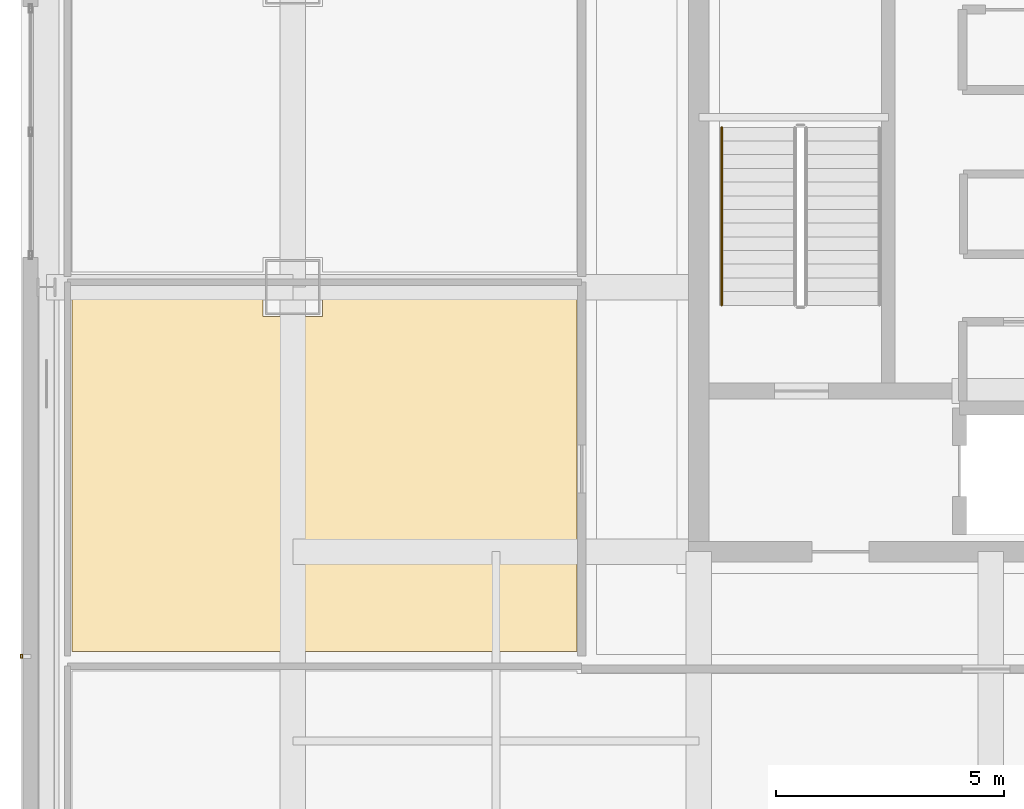
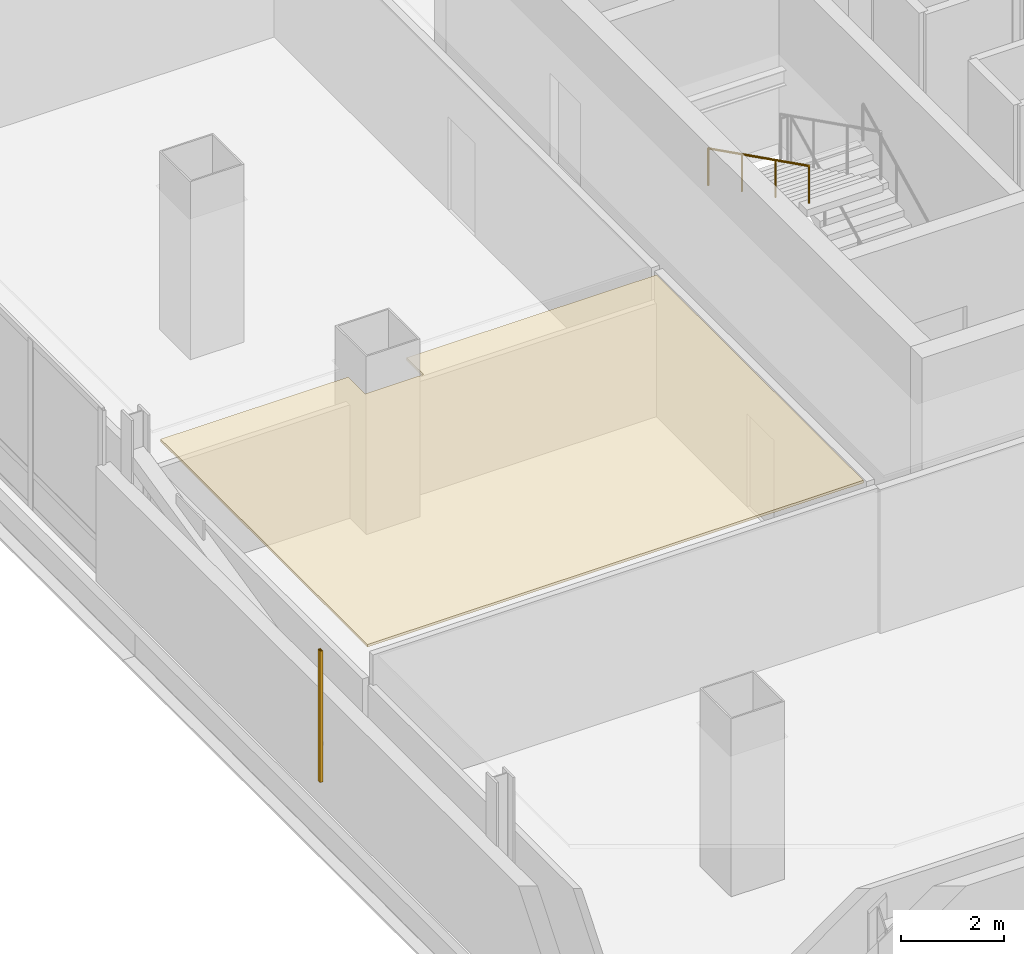
# One storey, part 20 of 28: 1 covering, 1 railing, 1 shading device.
"""IFC4 building model written with IfcOpenShell, lengths in metres."""

from ifc_helpers import new_model, si_unit, direction, frame, origin, origin_2d, place, context, subcontext, project, spatial, polyline, hollow_rectangle, circle, outline, extrude, material, layer, layer_set, material_profile, profile_set, type_object, element, save


model = new_model("IFC4")

# Units and contexts
model_context = context("Model", 3, precision=1e-05, world=origin(), true_north=direction((0.0, 1.0)))
body_context = subcontext(model_context, "Body", "Model", "MODEL_VIEW")
ifc_project = project(units=[si_unit("LENGTHUNIT", "METRE"), si_unit("AREAUNIT", "SQUARE_METRE"), si_unit("VOLUMEUNIT", "CUBIC_METRE"), si_unit("PLANEANGLEUNIT", "RADIAN"), si_unit("MASSUNIT", "GRAM", prefix="KILO")], contexts=[model_context])

# Site, building, storey
site_placement = place(None, origin())
site = spatial("IfcSite", under=ifc_project, at=site_placement, CompositionType="ELEMENT")
building_placement = place(site_placement, origin())
building = spatial("IfcBuilding", under=site, at=building_placement, Name="Punatoya Terracotta Tower", CompositionType="ELEMENT")
storey_placement = place(building_placement, frame((0.0, 0.0, 317.39990234375)))
storey = spatial("IfcBuildingStorey", under=building, at=storey_placement, Name="L75", CompositionType="ELEMENT", Elevation=317.39990234375)

# Covering
ifc_material_1 = material(Name="Acoustic Mineral Fibre Ceiling")
ifc_layer = layer(ifc_material_1, 0.06005859375)
ifc_layer_set = layer_set([ifc_layer], Name="Acoustic Mineral Fibre Ceiling")
covering_type = type_object("IfcCoveringType", Name="COV-CEIL-60", PredefinedType="CEILING", material=ifc_layer_set)
covering_placement = place(storey_placement, frame((0.0, 0.0, 3.31005859375)))
element("IfcCovering", 1, at=covering_placement, inside=storey, type_object=covering_type, Name="L75 Open-Plan Graphic Design Workplace Acoustic Ceiling", PredefinedType="CEILING", context=body_context, shape_type="SweptSolid", body=[
    extrude(outline(polyline([(-23.93994140625, -3.39404296875), (-23.93994140625, -11.389892578125), (-12.8701171875, -11.389892578125), (-12.8701171875, -3.39404296875), (-18.449951171875, -3.39404296875), (-18.449951171875, -4.050048828125), (-19.75, -4.050048828125), (-19.75, -3.39404296875), (-23.93994140625, -3.39404296875)])), origin(), (0.0, 0.0, 1.0), 0.06005859375),
])

# Railing
ifc_material_2 = material(Name="Steel S355", Category="steel")
railing_type = type_object("IfcRailingType", Name="RLG-HND-900", PredefinedType="HANDRAIL", material=ifc_material_2)
railing_placement = place(storey_placement, frame((-9.699951171875, 0.10009765625, 2.25)))
element("IfcRailing", 2, at=railing_placement, inside=storey, type_object=railing_type, Name="L75 ST-1 stair handrail 2", PredefinedType="HANDRAIL", context=body_context, shape_type="SweptSolid", body=[
    extrude(circle(Radius=0.02392578125, at=origin_2d()), frame((0.0, 0.0, 0.8759765625), z_axis=(0.0, -0.894415993023, 0.447235990752), x_axis=(1.0, 0.0, 0.0)), (0.0, 0.0, 1.0), 4.360595703125),
    extrude(circle(Radius=0.02099609375, at=origin_2d()), origin(), (0.0, 0.0, 1.0), 0.851806640625),
    extrude(circle(Radius=0.02099609375, at=origin_2d()), frame((0.0, -1.300048828125, 0.650146484375)), (0.0, 0.0, 1.0), 0.851806640625),
    extrude(circle(Radius=0.02099609375, at=origin_2d()), frame((0.0, -2.60009765625, 1.300048828125)), (0.0, 0.0, 1.0), 0.851806640625),
    extrude(circle(Radius=0.02099609375, at=origin_2d()), frame((0.0, -3.900146484375, 1.9501953125)), (0.0, 0.0, 1.0), 0.851806640625),
])

# Shading device
ifc_material_3 = material(Name="Architectural Fired Terracotta", Category="masonry")
ifc_material_profile = material_profile(ifc_material_3, hollow_rectangle(XDim=0.06005859375, YDim=0.090087890625, WallThickness=0.013916015625, at=origin_2d()))
ifc_profile_set = profile_set([ifc_material_profile], Name="Architectural Fired Terracotta")
shading_device_type = type_object("IfcShadingDeviceType", Name="SHD-JALI-90", PredefinedType="JALOUSIE", material=ifc_profile_set)
shading_device_placement = place(storey_placement, frame((-25.050048828125, -11.493408203125, 0.60009765625), z_axis=(0.0, 0.0, 1.0), x_axis=(1.0, 0.0, 0.0)))
element("IfcShadingDevice", 3, at=shading_device_placement, inside=storey, type_object=shading_device_type, Name="L75 Braced Bay Terracotta Jali Fin W2", PredefinedType="JALOUSIE", context=body_context, shape_type="SweptSolid", body=[
    extrude(hollow_rectangle(XDim=0.06005859375, YDim=0.090087890625, WallThickness=0.013916015625, at=origin_2d()), origin(), (0.0, 0.0, 1.0), 3.10009765625),
])

save(model, "model.ifc")
